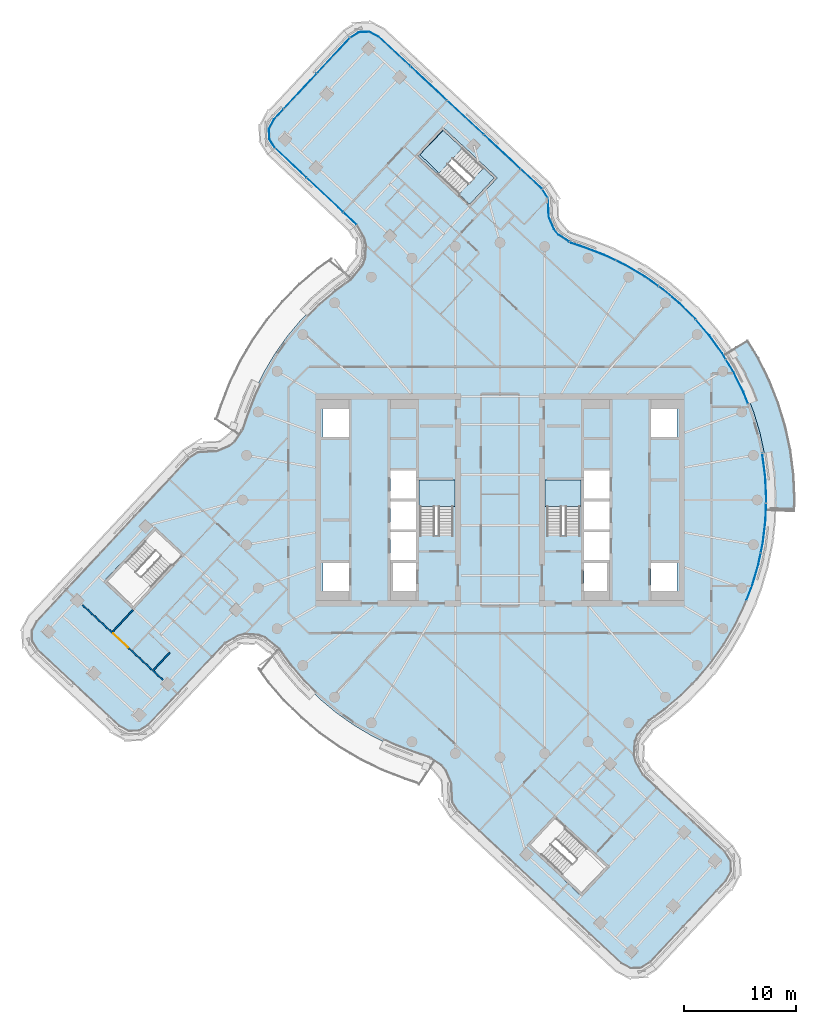
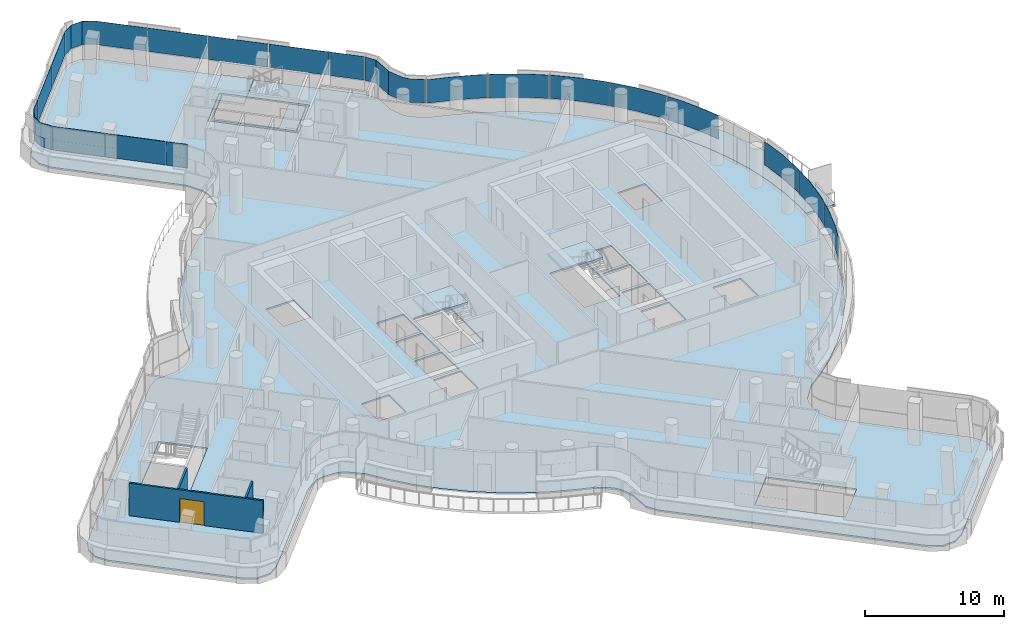
# One storey, part 16 of 30: 20 plates, 6 slabs, 3 walls, 1 door, 1 opening, 7 elements without a shape of their own.
"""IFC4 building model written with IfcOpenShell, lengths in metres."""

from ifc_helpers import new_model, si_unit, direction, frame, frame_2d, origin, place, context, subcontext, project, spatial, polyline, rectangle, outline, extrude, material, layer, layer_set, type_object, element, fill, aggregate, save


model = new_model("IFC4")

# Units and contexts
model_context = context("Model", 3, precision=1e-05, world=origin(), true_north=direction((0.0, 1.0)))
body_context = subcontext(model_context, "Body", "Model", "MODEL_VIEW")
ifc_project = project(units=[si_unit("LENGTHUNIT", "METRE"), si_unit("AREAUNIT", "SQUARE_METRE"), si_unit("VOLUMEUNIT", "CUBIC_METRE"), si_unit("PLANEANGLEUNIT", "RADIAN"), si_unit("MASSUNIT", "GRAM", prefix="KILO")], contexts=[model_context])

# Site, building, storey
site_placement = place(None, origin())
site = spatial("IfcSite", under=ifc_project, at=site_placement, CompositionType="ELEMENT")
building_placement = place(site_placement, origin())
building = spatial("IfcBuilding", under=site, at=building_placement, Name="Tamarind Cross Interchange Tower", CompositionType="ELEMENT")
storey_placement = place(building_placement, frame((0.0, 0.0, 204.10009765625)))
storey = spatial("IfcBuildingStorey", under=building, at=storey_placement, Name="L51", CompositionType="ELEMENT", Elevation=204.10009765625)

# Slabs
ifc_material_1 = material(Name="Precast concrete C40", Category="concrete")
ifc_layer_1 = layer(ifc_material_1, 0.199951171875)
ifc_layer_set_1 = layer_set([ifc_layer_1], Name="Precast concrete C40")
slab_type_1 = type_object("IfcSlabType", Name="Balcony slab", PredefinedType="BASESLAB", material=ifc_layer_set_1)
slab_1_placement = place(storey_placement, frame((0.0, 0.0, -0.2001953125)))
element("IfcSlab", 1, at=slab_1_placement, inside=storey, type_object=slab_type_1, Name="SLB-L51-BAL06", PredefinedType="BASESLAB", context=body_context, shape_type="SweptSolid", body=[
    extrude(outline(polyline([(23.958251953125, -0.905029296875), (23.995849609375, 0.103271484375), (23.9052734375, 2.08447265625), (23.6513671875, 4.051513671875), (23.236083984375, 5.99072265625), (22.662109375, 7.88916015625), (21.93310546875, 9.733642578125), (21.054443359375, 11.511474609375), (20.147216796875, 13.019287109375), (22.20361328125, 14.256591796875), (23.162109375, 12.663818359375), (24.128662109375, 10.7080078125), (24.9306640625, 8.6787109375), (25.56201171875, 6.59033203125), (26.01904296875, 4.45703125), (26.298095703125, 2.293212890625), (26.397705078125, 0.113525390625), (26.356689453125, -0.993896484375), (23.958251953125, -0.905029296875)])), origin(), (0.0, 0.0, 1.0), 0.2001953125),
])
ifc_material_2 = material(Name="Concrete C35", Category="concrete")
ifc_layer_2 = layer(ifc_material_2, 0.139892578125)
ifc_layer_set_2 = layer_set([ifc_layer_2], Name="Concrete C35")
slab_type_2 = type_object("IfcSlabType", Name="Composite slab 140 Concrete C35", PredefinedType="FLOOR", material=ifc_layer_set_2)
slab_2_placement = place(storey_placement, frame((0.0, 0.0, -0.14013671875)))
element("IfcSlab", 2, at=slab_2_placement, inside=storey, type_object=slab_type_2, Name="Floor slab L51", PredefinedType="FLOOR", context=body_context, shape_type="SweptSolid", body=[
    extrude(outline(polyline([(-27.063720703125, 4.465087890625), (-27.90966796875, 3.926025390625), (-41.552734375, -10.71240234375), (-42.03857421875, -11.626708984375), (-42.002197265625, -12.661376953125), (-41.453369140625, -13.539306640625), (-34.137939453125, -20.357177734375), (-33.2236328125, -20.843017578125), (-32.18896484375, -20.806396484375), (-31.311279296875, -20.257568359375), (-24.45068359375, -12.959716796875), (-23.32568359375, -12.3076171875), (-22.771728515625, -12.177734375), (-21.623291015625, -12.252685546875), (-21.0908203125, -12.453125), (-19.856689453125, -13.456298828125), (-18.87255859375, -14.820068359375), (-17.584228515625, -16.327880859375), (-16.17578125, -17.72412109375), (-14.656982421875, -18.99951171875), (-13.0380859375, -20.14501953125), (-11.329833984375, -21.15283203125), (-9.54443359375, -22.01611328125), (-7.693603515625, -22.72900390625), (-6.44677734375, -23.145263671875), (-5.363037109375, -23.862060546875), (-5.00048828125, -24.300048828125), (-4.55615234375, -25.36083984375), (-4.525146484375, -26.062255859375), (-4.465087890625, -27.063720703125), (-3.926025390625, -27.90966796875), (10.71240234375, -41.552734375), (11.626708984375, -42.03857421875), (12.661376953125, -42.002197265625), (13.539306640625, -41.453369140625), (20.357177734375, -34.137939453125), (20.843017578125, -33.2236328125), (20.806396484375, -32.18896484375), (20.257568359375, -31.311279296875), (12.959716796875, -24.45068359375), (12.3076171875, -23.32568359375), (12.177734375, -22.771728515625), (12.252685546875, -21.623291015625), (12.453125, -21.0908203125), (13.456298828125, -19.856689453125), (14.820068359375, -18.87255859375), (16.327880859375, -17.584228515625), (17.72412109375, -16.17578125), (18.99951171875, -14.656982421875), (20.14501953125, -13.0380859375), (21.15283203125, -11.329833984375), (22.01611328125, -9.54443359375), (22.72900390625, -7.693603515625), (23.286865234375, -5.79052734375), (23.685546875, -3.84765625), (23.92236328125, -1.878662109375), (23.99560546875, 0.103271484375), (23.9052734375, 2.08447265625), (23.651611328125, 4.051513671875), (23.236083984375, 5.99072265625), (22.662109375, 7.88916015625), (21.93310546875, 9.7333984375), (21.054443359375, 11.511474609375), (20.031982421875, 13.2109375), (18.87255859375, 14.820068359375), (17.584228515625, 16.327880859375), (16.17578125, 17.72412109375), (14.656982421875, 18.99951171875), (13.0380859375, 20.14501953125), (11.329833984375, 21.15283203125), (9.54443359375, 22.01611328125), (7.693603515625, 22.72900390625), (6.44677734375, 23.145263671875), (5.363037109375, 23.862060546875), (5.00048828125, 24.300048828125), (4.55615234375, 25.36083984375), (4.525146484375, 26.062255859375), (4.465087890625, 27.063720703125), (3.926025390625, 27.90966796875), (-10.71240234375, 41.552734375), (-11.626708984375, 42.03857421875), (-12.661376953125, 42.002197265625), (-13.539306640625, 41.453369140625), (-20.357177734375, 34.137939453125), (-20.843017578125, 33.2236328125), (-20.806396484375, 32.18896484375), (-20.257568359375, 31.311279296875), (-12.959716796875, 24.45068359375), (-12.3076171875, 23.32568359375), (-12.177734375, 22.771728515625), (-12.252685546875, 21.623291015625), (-12.453125, 21.0908203125), (-13.456298828125, 19.856689453125), (-14.820068359375, 18.87255859375), (-16.327880859375, 17.584228515625), (-17.72412109375, 16.17578125), (-18.99951171875, 14.656982421875), (-20.14501953125, 13.0380859375), (-21.15283203125, 11.329833984375), (-22.01611328125, 9.54443359375), (-22.72900390625, 7.693603515625), (-23.145263671875, 6.44677734375), (-23.862060546875, 5.363037109375), (-24.300048828125, 5.00048828125), (-25.36083984375, 4.55615234375), (-26.062255859375, 4.525146484375), (-27.063720703125, 4.465087890625)]), holes=[polyline([(-32.763916015625, -9.789306640625), (-32.91015625, -9.65283203125), (-35.251220703125, -7.47119140625), (-35.3974609375, -7.334716796875), (-35.202880859375, -7.126220703125), (-35.24609375, -7.08447265625), (-32.959716796875, -4.71923828125), (-30.829345703125, -2.433349609375), (-30.68310546875, -2.56982421875), (-28.34228515625, -4.75146484375), (-28.19580078125, -4.887939453125), (-32.763916015625, -9.789306640625)]), polyline([(-13.5, -8.125), (-15.800048828125, -8.125), (-15.800048828125, -5.625), (-13.5, -5.625), (-13.5, -8.125)]), polyline([(-7.5, -8.125), (-9.800048828125, -8.125), (-9.800048828125, -5.625), (-7.5, -5.625), (-7.5, -8.125)]), polyline([(-7.5, -5.375), (-9.800048828125, -5.375), (-9.800048828125, -2.875), (-7.5, -2.875), (-7.5, -5.375)]), polyline([(-7.5, -2.625), (-9.800048828125, -2.625), (-9.800048828125, -0.125), (-7.5, -0.125), (-7.5, -2.625)]), polyline([(-4.199951171875, 1.800048828125), (-4.199951171875, -3.18798828125), (-7.14990234375, -3.18798828125), (-7.14990234375, 1.800048828125), (-4.199951171875, 1.800048828125)]), polyline([(-7.5, 0.125), (-9.800048828125, 0.125), (-9.800048828125, 2.625), (-7.5, 2.625), (-7.5, 0.125)]), polyline([(-13.5, 5.625), (-15.800048828125, 5.625), (-15.800048828125, 8.125), (-13.5, 8.125), (-13.5, 5.625)]), polyline([(-2.693359375, 26.150390625), (-7.594482421875, 30.718505859375), (-7.458251953125, 30.86474609375), (-5.276611328125, 33.205810546875), (-5.14013671875, 33.35205078125), (-4.93115234375, 33.1572265625), (-4.927490234375, 33.1611328125), (-4.71923828125, 32.959716796875), (-0.23876953125, 28.783935546875), (-0.375244140625, 28.6376953125), (-2.556884765625, 26.296875), (-2.693359375, 26.150390625)]), polyline([(4.887939453125, -28.19580078125), (9.789306640625, -32.763916015625), (9.65283203125, -32.91015625), (7.47119140625, -35.251220703125), (7.334716796875, -35.3974609375), (7.126220703125, -35.202880859375), (7.08447265625, -35.24609375), (4.71923828125, -32.959716796875), (2.433349609375, -30.829345703125), (2.56982421875, -30.68310546875), (4.75146484375, -28.34228515625), (4.887939453125, -28.19580078125)]), polyline([(7.5, -5.625), (9.800048828125, -5.625), (9.800048828125, -8.125), (7.5, -8.125), (7.5, -5.625)]), polyline([(13.5, -5.625), (15.800048828125, -5.625), (15.800048828125, -8.125), (13.5, -8.125), (13.5, -5.625)]), polyline([(7.5, -2.875), (9.800048828125, -2.875), (9.800048828125, -5.375), (7.5, -5.375), (7.5, -2.875)]), polyline([(7.5, -0.125), (9.800048828125, -0.125), (9.800048828125, -2.625), (7.5, -2.625), (7.5, -0.125)]), polyline([(7.14990234375, 1.800048828125), (7.14990234375, -3.18798828125), (4.199951171875, -3.18798828125), (4.199951171875, 1.800048828125), (7.14990234375, 1.800048828125)]), polyline([(7.5, 2.625), (9.800048828125, 2.625), (9.800048828125, 0.125), (7.5, 0.125), (7.5, 2.625)]), polyline([(13.5, 8.125), (15.800048828125, 8.125), (15.800048828125, 5.625), (13.5, 5.625), (13.5, 8.125)])]), origin(), (0.0, 0.0, 1.0), 0.14013671875),
])
slab_3_placement = place(storey_placement, frame((0.0, 0.0, -0.14013671875)))
element("IfcSlab", 3, at=slab_3_placement, inside=storey, type_object=slab_type_2, Name="Floor slab L51", PredefinedType="FLOOR", context=body_context, shape_type="SweptSolid", body=[
    extrude(outline(polyline([(-5.130126953125, 33.0693359375), (-7.31201171875, 30.728515625), (-2.703125, 26.43310546875), (-0.521484375, 28.774169921875), (-1.420654296875, 29.612060546875), (-1.481201171875, 29.668701171875), (-3.58447265625, 27.412109375), (-7.151611328125, 30.8603515625), (-5.0703125, 33.013427734375), (-5.130126953125, 33.0693359375)])), origin(), (0.0, 0.0, 1.0), 0.14013671875),
])

# Stair, slab
ifc_material_3 = material(Name="Exit stair")
stair_type = type_object("IfcStairType", Name="Exit stair", PredefinedType="HALF_TURN_STAIR", material=ifc_material_3)
stair_1_placement = place(storey_placement, origin())
stair_1 = element("IfcStair", 4, at=stair_1_placement, inside=storey, type_object=stair_type, Name="L51 exit stair ST1", PredefinedType="HALF_TURN_STAIR")
ifc_material_4 = material(Name="Concrete C40", Category="concrete")
ifc_layer_3 = layer(ifc_material_4, 0.199951171875)
ifc_layer_set_3 = layer_set([ifc_layer_3], Name="Concrete C40")
slab_type_3 = type_object("IfcSlabType", Name="Stair landing", PredefinedType="LANDING", material=ifc_layer_set_3)
slab_4_placement = place(storey_placement, frame((0.0, 0.0, 1.599853515625)))
slab_4 = element("IfcSlab", 5, at=slab_4_placement, type_object=slab_type_3, Name="ST1 landing 1", PredefinedType="LANDING", context=body_context, shape_type="SweptSolid", body=[
    extrude(outline(polyline([(-4.0, -0.60009765625), (-4.0, 1.800048828125), (-7.25, 1.800048828125), (-7.25, -0.60009765625), (-4.0, -0.60009765625)])), origin(), (0.0, 0.0, 1.0), 0.199951171875),
])
aggregate(stair_1, [slab_4])

stair_2_placement = place(storey_placement, origin())
stair_2 = element("IfcStair", 6, at=stair_2_placement, inside=storey, type_object=stair_type, Name="L51 exit stair ST2", PredefinedType="HALF_TURN_STAIR")
slab_5_placement = place(storey_placement, frame((0.0, 0.0, 1.599853515625)))
slab_5 = element("IfcSlab", 7, at=slab_5_placement, type_object=slab_type_3, Name="ST2 landing 1", PredefinedType="LANDING", context=body_context, shape_type="SweptSolid", body=[
    extrude(outline(polyline([(7.25, -0.60009765625), (7.25, 1.800048828125), (4.0, 1.800048828125), (4.0, -0.60009765625), (7.25, -0.60009765625)])), origin(), (0.0, 0.0, 1.0), 0.199951171875),
])
aggregate(stair_2, [slab_5])

stair_3_placement = place(storey_placement, origin())
stair_3 = element("IfcStair", 8, at=stair_3_placement, inside=storey, type_object=stair_type, Name="L51 exit stair ST4", PredefinedType="HALF_TURN_STAIR")
slab_6_placement = place(storey_placement, frame((0.0, 0.0, 1.599853515625)))
slab_6 = element("IfcSlab", 9, at=slab_6_placement, type_object=slab_type_3, Name="ST4 landing 1", PredefinedType="LANDING", context=body_context, shape_type="SweptSolid", body=[
    extrude(outline(polyline([(-3.36572265625, 31.4248046875), (-5.130126953125, 33.0693359375), (-7.31201171875, 30.728515625), (-5.54736328125, 29.083984375), (-3.36572265625, 31.4248046875)])), origin(), (0.0, 0.0, 1.0), 0.199951171875),
])
aggregate(stair_3, [slab_6])

# Curtain wall, plates
ifc_material_5 = material(Name="Aluminium 6063-T6", Category="aluminium")
ifc_layer_4 = layer(ifc_material_5, 0.139892578125)
ifc_layer_set_4 = layer_set([ifc_layer_4], Name="Aluminium 6063-T6")
curtain_wall_type = type_object("IfcCurtainWallType", Name="Hotel curtain wall, 4.5 m bays", PredefinedType="NOTDEFINED", material=ifc_layer_set_4)
curtain_wall_1_placement = place(storey_placement, origin())
curtain_wall_1 = element("IfcCurtainWall", 10, at=curtain_wall_1_placement, inside=storey, type_object=curtain_wall_type, Name="CWS-L51-06", PredefinedType="NOTDEFINED")
ifc_material_6 = material(Name="Laminated low-e glass 6+1.52+6", Category="glass")
ifc_layer_5 = layer(ifc_material_6, 0.02392578125)
ifc_layer_set_5 = layer_set([ifc_layer_5], Name="Laminated low-e glass 6+1.52+6")
plate_type = type_object("IfcPlateType", Name="Vision panel CW2", PredefinedType="CURTAIN_PANEL", material=ifc_layer_set_5)
plate_1_placement = place(storey_placement, frame((0.0, 0.0, 1.39990234375)))
plate_1 = element("IfcPlate", 11, at=plate_1_placement, type_object=plate_type, Name="CWP-L51-06-04", PredefinedType="CURTAIN_PANEL", context=body_context, shape_type="SweptSolid", body=[
    extrude(outline(polyline([(22.014404296875, -8.959228515625), (22.528076171875, -7.625732421875), (23.080810546875, -5.7392578125), (23.283935546875, -4.749267578125), (23.3076171875, -4.754150390625), (23.104248046875, -5.7451171875), (22.55078125, -7.63330078125), (22.036865234375, -8.9677734375), (22.014404296875, -8.959228515625)])), origin(), (0.0, 0.0, 1.0), 2.06005859375),
])
plate_2_placement = place(storey_placement, frame((0.0, 0.0, 1.39990234375)))
plate_2 = element("IfcPlate", 12, at=plate_2_placement, type_object=plate_type, Name="CWP-L51-06-05", PredefinedType="CURTAIN_PANEL", context=body_context, shape_type="SweptSolid", body=[
    extrude(outline(polyline([(23.296142578125, -4.690673828125), (23.47607421875, -3.813720703125), (23.710693359375, -1.862060546875), (23.767822265625, -0.31884765625), (23.7919921875, -0.31982421875), (23.734619140625, -1.864013671875), (23.499755859375, -3.817626953125), (23.319580078125, -4.695556640625), (23.296142578125, -4.690673828125)])), origin(), (0.0, 0.0, 1.0), 2.06005859375),
])
plate_3_placement = place(storey_placement, frame((0.0, 0.0, 1.39990234375)))
plate_3 = element("IfcPlate", 13, at=plate_3_placement, type_object=plate_type, Name="CWP-L51-06-06", PredefinedType="CURTAIN_PANEL", context=body_context, shape_type="SweptSolid", body=[
    extrude(outline(polyline([(23.770263671875, -0.259033203125), (23.783447265625, 0.102294921875), (23.69384765625, 2.06591796875), (23.4423828125, 4.015625), (23.419189453125, 4.123779296875), (23.442626953125, 4.12890625), (23.466064453125, 4.019775390625), (23.7177734375, 2.068115234375), (23.8076171875, 0.1025390625), (23.794189453125, -0.259765625), (23.770263671875, -0.259033203125)])), origin(), (0.0, 0.0, 1.0), 2.06005859375),
])
plate_4_placement = place(storey_placement, frame((0.0, 0.0, 1.39990234375)))
plate_4 = element("IfcPlate", 14, at=plate_4_placement, type_object=plate_type, Name="CWP-L51-06-08", PredefinedType="CURTAIN_PANEL", context=body_context, shape_type="SweptSolid", body=[
    extrude(outline(polyline([(22.1533203125, 8.599609375), (21.7392578125, 9.6474609375), (20.868408203125, 11.40966796875), (20.19140625, 12.53466796875), (20.2119140625, 12.547119140625), (20.889404296875, 11.421142578125), (21.76123046875, 9.6572265625), (22.175537109375, 8.608642578125), (22.1533203125, 8.599609375)])), origin(), (0.0, 0.0, 1.0), 2.06005859375),
])
plate_5_placement = place(storey_placement, frame((0.0, 0.0, 1.39990234375)))
plate_5 = element("IfcPlate", 15, at=plate_5_placement, type_object=plate_type, Name="CWP-L51-06-09", PredefinedType="CURTAIN_PANEL", context=body_context, shape_type="SweptSolid", body=[
    extrude(outline(polyline([(20.160400390625, 12.586181640625), (19.854736328125, 13.093994140625), (18.705810546875, 14.68896484375), (17.50634765625, 16.0927734375), (17.5244140625, 16.1083984375), (18.724609375, 14.703857421875), (19.874755859375, 13.107177734375), (20.180908203125, 12.598388671875), (20.160400390625, 12.586181640625)])), origin(), (0.0, 0.0, 1.0), 2.06005859375),
])
plate_6_placement = place(storey_placement, frame((0.0, 0.0, 1.39990234375)))
plate_6 = element("IfcPlate", 16, at=plate_6_placement, type_object=plate_type, Name="CWP-L51-06-10", PredefinedType="CURTAIN_PANEL", context=body_context, shape_type="SweptSolid", body=[
    extrude(outline(polyline([(17.46728515625, 16.138427734375), (17.4287109375, 16.183349609375), (16.032958984375, 17.5673828125), (14.52734375, 18.83154296875), (14.1904296875, 19.06982421875), (14.2041015625, 19.08935546875), (14.5419921875, 18.850341796875), (16.049072265625, 17.585205078125), (17.4462890625, 16.19970703125), (17.485595703125, 16.154052734375), (17.46728515625, 16.138427734375)])), origin(), (0.0, 0.0, 1.0), 2.06005859375),
])
plate_7_placement = place(storey_placement, frame((0.0, 0.0, 1.39990234375)))
plate_7 = element("IfcPlate", 17, at=plate_7_placement, type_object=plate_type, Name="CWP-L51-06-11", PredefinedType="CURTAIN_PANEL", context=body_context, shape_type="SweptSolid", body=[
    extrude(outline(polyline([(14.141357421875, 19.1044921875), (12.922607421875, 19.966796875), (11.229736328125, 20.9658203125), (10.37744140625, 21.3779296875), (10.387939453125, 21.3994140625), (11.240966796875, 20.98681640625), (12.935791015625, 19.987060546875), (14.1552734375, 19.1240234375), (14.141357421875, 19.1044921875)])), origin(), (0.0, 0.0, 1.0), 2.06005859375),
])
plate_8_placement = place(storey_placement, frame((0.0, 0.0, 1.39990234375)))
plate_8 = element("IfcPlate", 18, at=plate_8_placement, type_object=plate_type, Name="CWP-L51-06-12", PredefinedType="CURTAIN_PANEL", context=body_context, shape_type="SweptSolid", body=[
    extrude(outline(polyline([(10.3232421875, 21.404052734375), (9.4599609375, 21.821533203125), (7.6220703125, 22.529541015625), (6.35302734375, 22.952880859375), (6.2099609375, 23.047607421875), (6.22314453125, 23.067626953125), (6.36376953125, 22.974609375), (7.630126953125, 22.55224609375), (9.469482421875, 21.843505859375), (10.333740234375, 21.425537109375), (10.3232421875, 21.404052734375)])), origin(), (0.0, 0.0, 1.0), 2.06005859375),
])
plate_9_placement = place(storey_placement, frame((0.0, 0.0, 1.39990234375)))
plate_9 = element("IfcPlate", 19, at=plate_9_placement, type_object=plate_type, Name="CWP-L51-06-13", PredefinedType="CURTAIN_PANEL", context=body_context, shape_type="SweptSolid", body=[
    extrude(outline(polyline([(6.159912109375, 23.080810546875), (5.2197265625, 23.70263671875), (4.81689453125, 24.18896484375), (4.34619140625, 25.313720703125), (4.3134765625, 26.051025390625), (4.256591796875, 26.99609375), (3.777099609375, 27.7490234375), (3.79736328125, 27.761962890625), (4.2802734375, 27.003662109375), (4.33740234375, 26.052490234375), (4.369873046875, 25.319091796875), (4.837646484375, 24.20166015625), (5.23583984375, 23.720458984375), (6.173095703125, 23.100830078125), (6.159912109375, 23.080810546875)])), origin(), (0.0, 0.0, 1.0), 2.06005859375),
])
aggregate(curtain_wall_1, [plate_1, plate_2, plate_3, plate_4, plate_5, plate_6, plate_7, plate_8, plate_9])

curtain_wall_2_placement = place(storey_placement, origin())
curtain_wall_2 = element("IfcCurtainWall", 20, at=curtain_wall_2_placement, inside=storey, type_object=curtain_wall_type, Name="CWS-L51-07", PredefinedType="NOTDEFINED")
plate_10_placement = place(storey_placement, frame((0.0, 0.0, 1.39990234375)))
plate_10 = element("IfcPlate", 21, at=plate_10_placement, type_object=plate_type, Name="CWP-L51-07-00", PredefinedType="CURTAIN_PANEL", context=body_context, shape_type="SweptSolid", body=[
    extrude(outline(polyline([(3.740966796875, 27.79248046875), (1.8564453125, 29.548828125), (1.872802734375, 29.56640625), (3.75732421875, 27.81005859375), (3.740966796875, 27.79248046875)])), origin(), (0.0, 0.0, 1.0), 2.06005859375),
])
plate_11_placement = place(storey_placement, frame((0.0, 0.0, 1.39990234375)))
plate_11 = element("IfcPlate", 22, at=plate_11_placement, type_object=plate_type, Name="CWP-L51-07-01", PredefinedType="CURTAIN_PANEL", context=body_context, shape_type="SweptSolid", body=[
    extrude(outline(polyline([(1.8125, 29.589599609375), (-1.427001953125, 32.60888671875), (-1.41064453125, 32.62646484375), (1.8291015625, 29.607177734375), (1.8125, 29.589599609375)])), origin(), (0.0, 0.0, 1.0), 2.06005859375),
])
plate_12_placement = place(storey_placement, frame((0.0, 0.0, 1.39990234375)))
plate_12 = element("IfcPlate", 23, at=plate_12_placement, type_object=plate_type, Name="CWP-L51-07-02", PredefinedType="CURTAIN_PANEL", context=body_context, shape_type="SweptSolid", body=[
    extrude(outline(polyline([(-1.470947265625, 32.64990234375), (-4.71044921875, 35.669189453125), (-4.694091796875, 35.6865234375), (-1.45458984375, 32.66748046875), (-1.470947265625, 32.64990234375)])), origin(), (0.0, 0.0, 1.0), 2.06005859375),
])
plate_13_placement = place(storey_placement, frame((0.0, 0.0, 1.39990234375)))
plate_13 = element("IfcPlate", 24, at=plate_13_placement, type_object=plate_type, Name="CWP-L51-07-03", PredefinedType="CURTAIN_PANEL", context=body_context, shape_type="SweptSolid", body=[
    extrude(outline(polyline([(-4.75439453125, 35.7099609375), (-7.993896484375, 38.729248046875), (-7.9775390625, 38.746826171875), (-4.738037109375, 35.7275390625), (-4.75439453125, 35.7099609375)])), origin(), (0.0, 0.0, 1.0), 2.06005859375),
])
plate_14_placement = place(storey_placement, frame((0.0, 0.0, 1.39990234375)))
plate_14 = element("IfcPlate", 25, at=plate_14_placement, type_object=plate_type, Name="CWP-L51-07-04", PredefinedType="CURTAIN_PANEL", context=body_context, shape_type="SweptSolid", body=[
    extrude(outline(polyline([(-8.037841796875, 38.77001953125), (-10.836669921875, 41.378662109375), (-11.676025390625, 41.82470703125), (-12.59716796875, 41.792236328125), (-13.379150390625, 41.303466796875), (-13.391845703125, 41.32373046875), (-12.6044921875, 41.816162109375), (-11.67041015625, 41.848876953125), (-10.822509765625, 41.3984375), (-8.021484375, 38.78759765625), (-8.037841796875, 38.77001953125)])), origin(), (0.0, 0.0, 1.0), 2.06005859375),
])
aggregate(curtain_wall_2, [plate_10, plate_11, plate_12, plate_13, plate_14])

curtain_wall_3_placement = place(storey_placement, origin())
curtain_wall_3 = element("IfcCurtainWall", 26, at=curtain_wall_3_placement, inside=storey, type_object=curtain_wall_type, Name="CWS-L51-08", PredefinedType="NOTDEFINED")
plate_15_placement = place(storey_placement, frame((0.0, 0.0, 1.39990234375)))
plate_15 = element("IfcPlate", 27, at=plate_15_placement, type_object=plate_type, Name="CWP-L51-08-00", PredefinedType="CURTAIN_PANEL", context=body_context, shape_type="SweptSolid", body=[
    extrude(outline(polyline([(-13.422607421875, 41.267578125), (-16.344482421875, 38.13232421875), (-16.362060546875, 38.14892578125), (-13.440185546875, 41.283935546875), (-13.422607421875, 41.267578125)])), origin(), (0.0, 0.0, 1.0), 2.06005859375),
])
plate_16_placement = place(storey_placement, frame((0.0, 0.0, 1.39990234375)))
plate_16 = element("IfcPlate", 28, at=plate_16_placement, type_object=plate_type, Name="CWP-L51-08-01", PredefinedType="CURTAIN_PANEL", context=body_context, shape_type="SweptSolid", body=[
    extrude(outline(polyline([(-16.38525390625, 38.088623046875), (-19.30712890625, 34.953369140625), (-19.32470703125, 34.9697265625), (-16.40283203125, 38.10498046875), (-16.38525390625, 38.088623046875)])), origin(), (0.0, 0.0, 1.0), 2.06005859375),
])
plate_17_placement = place(storey_placement, frame((0.0, 0.0, 1.39990234375)))
plate_17 = element("IfcPlate", 29, at=plate_17_placement, type_object=plate_type, Name="CWP-L51-08-02", PredefinedType="CURTAIN_PANEL", context=body_context, shape_type="SweptSolid", body=[
    extrude(outline(polyline([(-19.34814453125, 34.90966796875), (-20.18310546875, 34.013671875), (-20.629150390625, 33.17431640625), (-20.5966796875, 32.253173828125), (-20.107421875, 31.470947265625), (-20.1279296875, 31.458251953125), (-20.620361328125, 32.245849609375), (-20.6533203125, 33.179931640625), (-20.20263671875, 34.02783203125), (-19.36572265625, 34.926025390625), (-19.34814453125, 34.90966796875)])), origin(), (0.0, 0.0, 1.0), 2.06005859375),
])
aggregate(curtain_wall_3, [plate_15, plate_16, plate_17])

curtain_wall_4_placement = place(storey_placement, origin())
curtain_wall_4 = element("IfcCurtainWall", 30, at=curtain_wall_4_placement, inside=storey, type_object=curtain_wall_type, Name="CWS-L51-09", PredefinedType="NOTDEFINED")
plate_18_placement = place(storey_placement, frame((0.0, 0.0, 1.39990234375)))
plate_18 = element("IfcPlate", 31, at=plate_18_placement, type_object=plate_type, Name="CWP-L51-09-00", PredefinedType="CURTAIN_PANEL", context=body_context, shape_type="SweptSolid", body=[
    extrude(outline(polyline([(-20.07177734375, 31.42724609375), (-17.29638671875, 28.818603515625), (-17.31298828125, 28.801025390625), (-20.088134765625, 31.409912109375), (-20.07177734375, 31.42724609375)])), origin(), (0.0, 0.0, 1.0), 2.06005859375),
])
plate_19_placement = place(storey_placement, frame((0.0, 0.0, 1.39990234375)))
plate_19 = element("IfcPlate", 32, at=plate_19_placement, type_object=plate_type, Name="CWP-L51-09-01", PredefinedType="CURTAIN_PANEL", context=body_context, shape_type="SweptSolid", body=[
    extrude(outline(polyline([(-17.252685546875, 28.77734375), (-14.0166015625, 25.7353515625), (-14.033203125, 25.7177734375), (-17.269287109375, 28.760009765625), (-17.252685546875, 28.77734375)])), origin(), (0.0, 0.0, 1.0), 2.06005859375),
])
plate_20_placement = place(storey_placement, frame((0.0, 0.0, 1.39990234375)))
plate_20 = element("IfcPlate", 33, at=plate_20_placement, type_object=plate_type, Name="CWP-L51-09-02", PredefinedType="CURTAIN_PANEL", context=body_context, shape_type="SweptSolid", body=[
    extrude(outline(polyline([(-13.972900390625, 25.694091796875), (-12.81494140625, 24.605712890625), (-12.83154296875, 24.588134765625), (-13.9892578125, 25.6767578125), (-13.972900390625, 25.694091796875)])), origin(), (0.0, 0.0, 1.0), 2.06005859375),
])
aggregate(curtain_wall_4, [plate_18, plate_19, plate_20])

# Wall, opening, door
ifc_material_7 = material(Name="Gypsum board partition on steel studs", Category="steel")
ifc_layer_6 = layer(ifc_material_7, 0.14990234375)
ifc_layer_set_6 = layer_set([ifc_layer_6], Name="Gypsum board partition on steel studs")
wall_type = type_object("IfcWallType", Name="Partition 150 mm EI 120", PredefinedType="PARTITIONING", material=ifc_layer_set_6)
wall_1_placement = place(storey_placement, frame((-37.312744140625, -9.377197265625, 0.0), z_axis=(0.0, 0.0, 1.0), x_axis=(0.731520188411, -0.681819781135, 0.0)))
wall_1 = element("IfcWall", 34, at=wall_1_placement, inside=storey, type_object=wall_type, Name="Partition L51-004", PredefinedType="PARTITIONING", context=body_context, shape_type="SweptSolid", body=[
    extrude(rectangle(XDim=9.9326171875, YDim=0.14990234375, at=frame_2d((4.96630859375, 0.0))), origin(), (0.0, 0.0, 1.0), 2.864013671875),
])
opening_placement = place(wall_1_placement, frame((3.7587890625, 0.0, 0.0)))
opening = element("IfcOpeningElement", 35, at=opening_placement, cuts=wall_1, Name="Opening D01", PredefinedType="OPENING", context=body_context, shape_type="SweptSolid", body=[
    extrude(rectangle(XDim=1.800048828125, YDim=2.10009765625, at=frame_2d((0.89990234375, 1.050048828125))), frame((0.0, 0.0849609375, 0.0), z_axis=(0.0, -1.0, 0.0), x_axis=(1.0, 0.0, 0.0)), (0.0, 0.0, 1.0), 0.169921875),
])
ifc_material_8 = material(Name="Fire-resisting door set")
door_type = type_object("IfcDoorType", Name="Interior door 1800 x 2100 FD60S", OperationType="DOUBLE_DOOR_SINGLE_SWING", PredefinedType="DOOR", material=ifc_material_8)
door_placement = place(opening_placement, frame((1.800048828125, 0.0, 0.0), z_axis=(0.0, 0.0, 1.0), x_axis=(-1.0, 0.0, 0.0)))
door = element("IfcDoor", 36, at=door_placement, inside=storey, type_object=door_type, Name="Door D01", OperationType="DOUBLE_DOOR_SINGLE_SWING", OverallHeight=2.10009765625, OverallWidth=1.800048828125, PredefinedType="DOOR", context=body_context, shape_type="SweptSolid", body=[
    extrude(rectangle(XDim=1.800048828125, YDim=2.10009765625, at=frame_2d((0.89990234375, 1.050048828125))), frame((0.0, 0.02490234375, 0.0), z_axis=(0.0, -1.0, 0.0), x_axis=(1.0, 0.0, 0.0)), (0.0, 0.0, 1.0), 0.050048828125),
])
fill(opening, door)

# Walls
wall_2_placement = place(storey_placement, frame((-34.618408203125, -11.779541015625, 0.0), z_axis=(0.0, 0.0, 1.0), x_axis=(0.681795423072, 0.731542890799, 0.0)))
element("IfcWall", 37, at=wall_2_placement, inside=storey, type_object=wall_type, Name="Partition L51-044", PredefinedType="PARTITIONING", context=body_context, shape_type="SweptSolid", body=[
    extrude(rectangle(XDim=2.679443359375, YDim=0.14990234375, at=frame_2d((1.33984375, 0.0))), origin(), (0.0, 0.0, 1.0), 2.864013671875),
])
wall_3_placement = place(storey_placement, frame((-30.96044921875, -15.1884765625, 0.0), z_axis=(0.0, 0.0, 1.0), x_axis=(0.681682181737, 0.731648414953, 0.0)))
element("IfcWall", 38, at=wall_3_placement, inside=storey, type_object=wall_type, Name="Partition L51-047", PredefinedType="PARTITIONING", context=body_context, shape_type="SweptSolid", body=[
    extrude(rectangle(XDim=2.12060546875, YDim=0.14990234375, at=frame_2d((1.060302734375, 0.0))), origin(), (0.0, 0.0, 1.0), 2.864013671875),
])

save(model, "model.ifc")
